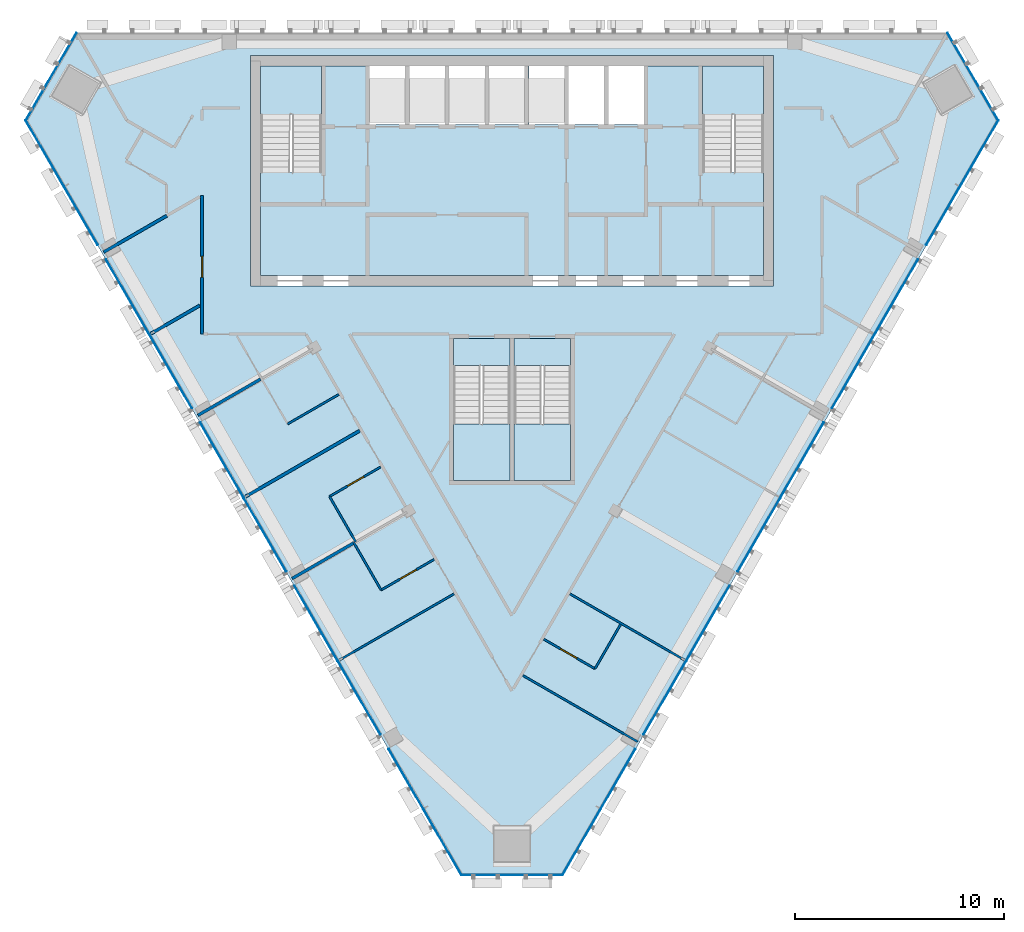
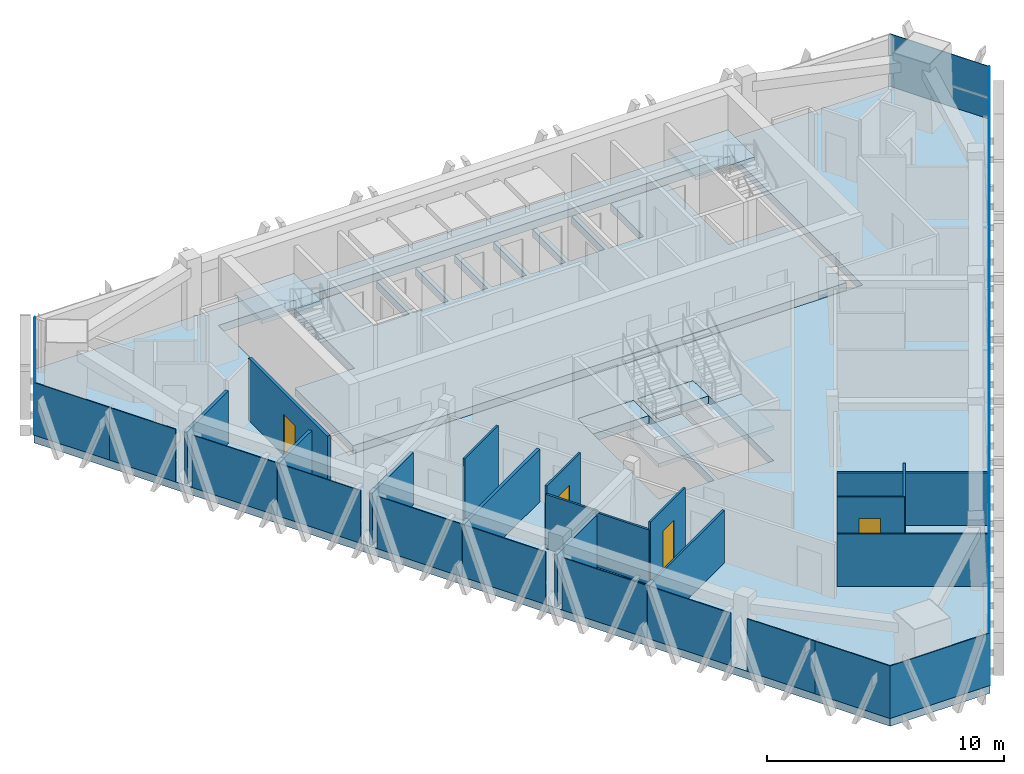
# One storey, part 7 of 14: 23 plates, 16 walls, 8 slabs, 4 doors, 4 openings, 9 elements without a shape of their own.
"""IFC4 building model written with IfcOpenShell, lengths in metres."""

from ifc_helpers import new_model, si_unit, direction, frame, frame_2d, origin, origin_2d, place, context, subcontext, project, spatial, polyline, rectangle, outline, extrude, material, layer, layer_set, type_object, element, fill, aggregate, save


model = new_model("IFC4")

# Units and contexts
model_context = context("Model", 3, precision=1e-05, world=origin(), true_north=direction((0.0, 1.0)))
body_context = subcontext(model_context, "Body", "Model", "MODEL_VIEW")
ifc_project = project(units=[si_unit("LENGTHUNIT", "METRE"), si_unit("AREAUNIT", "SQUARE_METRE"), si_unit("VOLUMEUNIT", "CUBIC_METRE"), si_unit("PLANEANGLEUNIT", "RADIAN"), si_unit("MASSUNIT", "GRAM", prefix="KILO")], contexts=[model_context])

# Site, building, storey
site_placement = place(None, origin())
site = spatial("IfcSite", under=ifc_project, at=site_placement, CompositionType="ELEMENT")
building_placement = place(site_placement, origin())
building = spatial("IfcBuilding", under=site, at=building_placement, Name="Altiplano Prism Tower", CompositionType="ELEMENT")
storey_placement = place(building_placement, frame((0.0, 0.0, 268.0)))
storey = spatial("IfcBuildingStorey", under=building, at=storey_placement, Name="L69", CompositionType="ELEMENT", Elevation=268.0)

# Curtain wall, plate
ifc_material_1 = material(Name="Aluminium and glass", Category="aluminium")
ifc_layer_1 = layer(ifc_material_1, 0.280029296875)
ifc_layer_set_1 = layer_set([ifc_layer_1], Name="Aluminium and glass")
curtain_wall_type = type_object("IfcCurtainWallType", Name="CW1 typical co-living unitised curtain wall", PredefinedType="NOTDEFINED", material=ifc_layer_set_1)
curtain_wall_1_placement = place(storey_placement, origin())
curtain_wall_1 = element("IfcCurtainWall", 1, at=curtain_wall_1_placement, inside=storey, type_object=curtain_wall_type, Name="CW1 curtain wall north-west chamfer L69", PredefinedType="NOTDEFINED")
ifc_material_2 = material(Name="Clear glass", Category="glass")
ifc_layer_2 = layer(ifc_material_2, 0.0400390625)
ifc_layer_set_2 = layer_set([ifc_layer_2], Name="Clear glass")
plate_type = type_object("IfcPlateType", Name="CW1 insulated glass unit 40", PredefinedType="CURTAIN_PANEL", material=ifc_layer_set_2)
plate_1_placement = place(storey_placement, frame((62.989501953125, 102.89111328125, 0.0), z_axis=(0.0, 0.0, 1.0), x_axis=(-0.500000031379, -0.866025385668, 0.0)))
plate_1 = element("IfcPlate", 2, at=plate_1_placement, type_object=plate_type, Name="CW1 panel", PredefinedType="CURTAIN_PANEL", context=body_context, shape_type="SweptSolid", body=[
    extrude(rectangle(XDim=4.83740234375, YDim=0.0400390625, at=origin_2d()), origin(), (0.0, 0.0, 1.0), 2.699951171875),
])
aggregate(curtain_wall_1, [plate_1])

# Curtain wall, plates
curtain_wall_2_placement = place(storey_placement, origin())
curtain_wall_2 = element("IfcCurtainWall", 3, at=curtain_wall_2_placement, inside=storey, type_object=curtain_wall_type, Name="CW1 curtain wall south-west face L69", PredefinedType="NOTDEFINED")
plate_2_placement = place(storey_placement, frame((62.692138671875, 99.228271484375, 0.0), z_axis=(0.0, 0.0, 1.0), x_axis=(0.499999992367, -0.866025408191, 0.0)))
plate_2 = element("IfcPlate", 4, at=plate_2_placement, type_object=plate_type, Name="CW1 panel", PredefinedType="CURTAIN_PANEL", context=body_context, shape_type="SweptSolid", body=[
    extrude(rectangle(XDim=3.64794921875, YDim=0.0400390625, at=origin_2d()), origin(), (0.0, 0.0, 1.0), 2.699951171875),
])
plate_3_placement = place(storey_placement, frame((64.413818359375, 96.246337890625, 0.0), z_axis=(0.0, 0.0, 1.0), x_axis=(0.499999992367, -0.866025408191, 0.0)))
plate_3 = element("IfcPlate", 5, at=plate_3_placement, type_object=plate_type, Name="CW1 panel", PredefinedType="CURTAIN_PANEL", context=body_context, shape_type="SweptSolid", body=[
    extrude(rectangle(XDim=3.218505859375, YDim=0.0400390625, at=origin_2d()), origin(), (0.0, 0.0, 1.0), 2.699951171875),
])
plate_4_placement = place(storey_placement, frame((66.648193359375, 92.3759765625, 0.0), z_axis=(0.0, 0.0, 1.0), x_axis=(0.499999992367, -0.866025408191, 0.0)))
plate_4 = element("IfcPlate", 6, at=plate_4_placement, type_object=plate_type, Name="CW1 panel", PredefinedType="CURTAIN_PANEL", context=body_context, shape_type="SweptSolid", body=[
    extrude(rectangle(XDim=4.139404296875, YDim=0.0400390625, at=origin_2d()), origin(), (0.0, 0.0, 1.0), 2.699951171875),
])
plate_5_placement = place(storey_placement, frame((68.703369140625, 88.816650390625, 0.0), z_axis=(0.0, 0.0, 1.0), x_axis=(0.499999992367, -0.866025408191, 0.0)))
plate_5 = element("IfcPlate", 7, at=plate_5_placement, type_object=plate_type, Name="CW1 panel", PredefinedType="CURTAIN_PANEL", context=body_context, shape_type="SweptSolid", body=[
    extrude(rectangle(XDim=4.060302734375, YDim=0.0400390625, at=origin_2d()), origin(), (0.0, 0.0, 1.0), 2.699951171875),
])
plate_6_placement = place(storey_placement, frame((71.148193359375, 84.58154296875, 0.0), z_axis=(0.0, 0.0, 1.0), x_axis=(0.499999992367, -0.866025408191, 0.0)))
plate_6 = element("IfcPlate", 8, at=plate_6_placement, type_object=plate_type, Name="CW1 panel", PredefinedType="CURTAIN_PANEL", context=body_context, shape_type="SweptSolid", body=[
    extrude(rectangle(XDim=4.139404296875, YDim=0.0400390625, at=origin_2d()), origin(), (0.0, 0.0, 1.0), 2.699951171875),
])
plate_7_placement = place(storey_placement, frame((73.203369140625, 81.0224609375, 0.0), z_axis=(0.0, 0.0, 1.0), x_axis=(0.499999992367, -0.866025408191, 0.0)))
plate_7 = element("IfcPlate", 9, at=plate_7_placement, type_object=plate_type, Name="CW1 panel", PredefinedType="CURTAIN_PANEL", context=body_context, shape_type="SweptSolid", body=[
    extrude(rectangle(XDim=4.060302734375, YDim=0.0400390625, at=origin_2d()), origin(), (0.0, 0.0, 1.0), 2.699951171875),
])
plate_8_placement = place(storey_placement, frame((75.648193359375, 76.787353515625, 0.0), z_axis=(0.0, 0.0, 1.0), x_axis=(0.499999992367, -0.866025408191, 0.0)))
plate_8 = element("IfcPlate", 10, at=plate_8_placement, type_object=plate_type, Name="CW1 panel", PredefinedType="CURTAIN_PANEL", context=body_context, shape_type="SweptSolid", body=[
    extrude(rectangle(XDim=4.139404296875, YDim=0.0400390625, at=origin_2d()), origin(), (0.0, 0.0, 1.0), 2.699951171875),
])
plate_9_placement = place(storey_placement, frame((77.703369140625, 73.22802734375, 0.0), z_axis=(0.0, 0.0, 1.0), x_axis=(0.499999992367, -0.866025408191, 0.0)))
plate_9 = element("IfcPlate", 11, at=plate_9_placement, type_object=plate_type, Name="CW1 panel", PredefinedType="CURTAIN_PANEL", context=body_context, shape_type="SweptSolid", body=[
    extrude(rectangle(XDim=4.060302734375, YDim=0.0400390625, at=origin_2d()), origin(), (0.0, 0.0, 1.0), 2.699951171875),
])
plate_10_placement = place(storey_placement, frame((79.937744140625, 69.35791015625, 0.0), z_axis=(0.0, 0.0, 1.0), x_axis=(0.499999992367, -0.866025408191, 0.0)))
plate_10 = element("IfcPlate", 12, at=plate_10_placement, type_object=plate_type, Name="CW1 panel", PredefinedType="CURTAIN_PANEL", context=body_context, shape_type="SweptSolid", body=[
    extrude(rectangle(XDim=3.297607421875, YDim=0.0400390625, at=origin_2d()), origin(), (0.0, 0.0, 1.0), 2.699951171875),
])
plate_11_placement = place(storey_placement, frame((81.67919921875, 66.341552734375, 0.0), z_axis=(0.0, 0.0, 1.0), x_axis=(0.499999992367, -0.866025408191, 0.0)))
plate_11 = element("IfcPlate", 13, at=plate_11_placement, type_object=plate_type, Name="CW1 panel", PredefinedType="CURTAIN_PANEL", context=body_context, shape_type="SweptSolid", body=[
    extrude(rectangle(XDim=3.64794921875, YDim=0.0400390625, at=origin_2d()), origin(), (0.0, 0.0, 1.0), 2.699951171875),
])
aggregate(curtain_wall_2, [plate_2, plate_3, plate_4, plate_5, plate_6, plate_7, plate_8, plate_9, plate_10, plate_11])

# Curtain wall, plate
curtain_wall_3_placement = place(storey_placement, origin())
curtain_wall_3 = element("IfcCurtainWall", 14, at=curtain_wall_3_placement, inside=storey, type_object=curtain_wall_type, Name="CW1 curtain wall south chamfer L69", PredefinedType="NOTDEFINED")
plate_12_placement = place(storey_placement, frame((85.0, 64.767578125, 0.0), z_axis=(0.0, 0.0, 1.0), x_axis=(1.0, 0.0, 0.0)))
plate_12 = element("IfcPlate", 15, at=plate_12_placement, type_object=plate_type, Name="CW1 panel", PredefinedType="CURTAIN_PANEL", context=body_context, shape_type="SweptSolid", body=[
    extrude(rectangle(XDim=4.83740234375, YDim=0.0400390625, at=origin_2d()), origin(), (0.0, 0.0, 1.0), 2.699951171875),
])
aggregate(curtain_wall_3, [plate_12])

# Curtain wall, plates
curtain_wall_4_placement = place(storey_placement, origin())
curtain_wall_4 = element("IfcCurtainWall", 16, at=curtain_wall_4_placement, inside=storey, type_object=curtain_wall_type, Name="CW1 curtain wall south-east face L69", PredefinedType="NOTDEFINED")
plate_13_placement = place(storey_placement, frame((88.32080078125, 66.341552734375, 0.0), z_axis=(0.0, 0.0, 1.0), x_axis=(0.499999992367, 0.866025408191, 0.0)))
plate_13 = element("IfcPlate", 17, at=plate_13_placement, type_object=plate_type, Name="CW1 panel", PredefinedType="CURTAIN_PANEL", context=body_context, shape_type="SweptSolid", body=[
    extrude(rectangle(XDim=3.64794921875, YDim=0.0400390625, at=origin_2d()), origin(), (0.0, 0.0, 1.0), 2.699951171875),
])
plate_14_placement = place(storey_placement, frame((90.062255859375, 69.35791015625, 0.0), z_axis=(0.0, 0.0, 1.0), x_axis=(0.499999992367, 0.866025408191, 0.0)))
plate_14 = element("IfcPlate", 18, at=plate_14_placement, type_object=plate_type, Name="CW1 panel", PredefinedType="CURTAIN_PANEL", context=body_context, shape_type="SweptSolid", body=[
    extrude(rectangle(XDim=3.297607421875, YDim=0.0400390625, at=origin_2d()), origin(), (0.0, 0.0, 1.0), 2.699951171875),
])
plate_15_placement = place(storey_placement, frame((92.296630859375, 73.22802734375, 0.0), z_axis=(0.0, 0.0, 1.0), x_axis=(0.499999992367, 0.866025408191, 0.0)))
plate_15 = element("IfcPlate", 19, at=plate_15_placement, type_object=plate_type, Name="CW1 panel", PredefinedType="CURTAIN_PANEL", context=body_context, shape_type="SweptSolid", body=[
    extrude(rectangle(XDim=4.060302734375, YDim=0.0400390625, at=origin_2d()), origin(), (0.0, 0.0, 1.0), 2.699951171875),
])
plate_16_placement = place(storey_placement, frame((94.351806640625, 76.787353515625, 0.0), z_axis=(0.0, 0.0, 1.0), x_axis=(0.499999992367, 0.866025408191, 0.0)))
plate_16 = element("IfcPlate", 20, at=plate_16_placement, type_object=plate_type, Name="CW1 panel", PredefinedType="CURTAIN_PANEL", context=body_context, shape_type="SweptSolid", body=[
    extrude(rectangle(XDim=4.139404296875, YDim=0.0400390625, at=origin_2d()), origin(), (0.0, 0.0, 1.0), 2.699951171875),
])
plate_17_placement = place(storey_placement, frame((96.796630859375, 81.0224609375, 0.0), z_axis=(0.0, 0.0, 1.0), x_axis=(0.499999992367, 0.866025408191, 0.0)))
plate_17 = element("IfcPlate", 21, at=plate_17_placement, type_object=plate_type, Name="CW1 panel", PredefinedType="CURTAIN_PANEL", context=body_context, shape_type="SweptSolid", body=[
    extrude(rectangle(XDim=4.060302734375, YDim=0.0400390625, at=origin_2d()), origin(), (0.0, 0.0, 1.0), 2.699951171875),
])
plate_18_placement = place(storey_placement, frame((98.851806640625, 84.58154296875, 0.0), z_axis=(0.0, 0.0, 1.0), x_axis=(0.499999992367, 0.866025408191, 0.0)))
plate_18 = element("IfcPlate", 22, at=plate_18_placement, type_object=plate_type, Name="CW1 panel", PredefinedType="CURTAIN_PANEL", context=body_context, shape_type="SweptSolid", body=[
    extrude(rectangle(XDim=4.139404296875, YDim=0.0400390625, at=origin_2d()), origin(), (0.0, 0.0, 1.0), 2.699951171875),
])
plate_19_placement = place(storey_placement, frame((101.296630859375, 88.816650390625, 0.0), z_axis=(0.0, 0.0, 1.0), x_axis=(0.499999992367, 0.866025408191, 0.0)))
plate_19 = element("IfcPlate", 23, at=plate_19_placement, type_object=plate_type, Name="CW1 panel", PredefinedType="CURTAIN_PANEL", context=body_context, shape_type="SweptSolid", body=[
    extrude(rectangle(XDim=4.060302734375, YDim=0.0400390625, at=origin_2d()), origin(), (0.0, 0.0, 1.0), 2.699951171875),
])
plate_20_placement = place(storey_placement, frame((103.351806640625, 92.3759765625, 0.0), z_axis=(0.0, 0.0, 1.0), x_axis=(0.499999992367, 0.866025408191, 0.0)))
plate_20 = element("IfcPlate", 24, at=plate_20_placement, type_object=plate_type, Name="CW1 panel", PredefinedType="CURTAIN_PANEL", context=body_context, shape_type="SweptSolid", body=[
    extrude(rectangle(XDim=4.139404296875, YDim=0.0400390625, at=origin_2d()), origin(), (0.0, 0.0, 1.0), 2.699951171875),
])
plate_21_placement = place(storey_placement, frame((105.586181640625, 96.246337890625, 0.0), z_axis=(0.0, 0.0, 1.0), x_axis=(0.499999992367, 0.866025408191, 0.0)))
plate_21 = element("IfcPlate", 25, at=plate_21_placement, type_object=plate_type, Name="CW1 panel", PredefinedType="CURTAIN_PANEL", context=body_context, shape_type="SweptSolid", body=[
    extrude(rectangle(XDim=3.218505859375, YDim=0.0400390625, at=origin_2d()), origin(), (0.0, 0.0, 1.0), 2.699951171875),
])
plate_22_placement = place(storey_placement, frame((107.307861328125, 99.228271484375, 0.0), z_axis=(0.0, 0.0, 1.0), x_axis=(0.499999992367, 0.866025408191, 0.0)))
plate_22 = element("IfcPlate", 26, at=plate_22_placement, type_object=plate_type, Name="CW1 panel", PredefinedType="CURTAIN_PANEL", context=body_context, shape_type="SweptSolid", body=[
    extrude(rectangle(XDim=3.64794921875, YDim=0.0400390625, at=origin_2d()), origin(), (0.0, 0.0, 1.0), 2.699951171875),
])
aggregate(curtain_wall_4, [plate_13, plate_14, plate_15, plate_16, plate_17, plate_18, plate_19, plate_20, plate_21, plate_22])

# Curtain wall, plate
curtain_wall_5_placement = place(storey_placement, origin())
curtain_wall_5 = element("IfcCurtainWall", 27, at=curtain_wall_5_placement, inside=storey, type_object=curtain_wall_type, Name="CW1 curtain wall north-east chamfer L69", PredefinedType="NOTDEFINED")
plate_23_placement = place(storey_placement, frame((107.010498046875, 102.89111328125, 0.0), z_axis=(0.0, 0.0, 1.0), x_axis=(-0.500000031379, 0.866025385668, 0.0)))
plate_23 = element("IfcPlate", 28, at=plate_23_placement, type_object=plate_type, Name="CW1 panel", PredefinedType="CURTAIN_PANEL", context=body_context, shape_type="SweptSolid", body=[
    extrude(rectangle(XDim=4.83740234375, YDim=0.0400390625, at=origin_2d()), origin(), (0.0, 0.0, 1.0), 2.699951171875),
])
aggregate(curtain_wall_5, [plate_23])

# Slabs
ifc_material_3 = material(Name="Concrete C40/50", Category="concrete")
ifc_layer_3 = layer(ifc_material_3, 0.39990234375)
ifc_layer_set_3 = layer_set([ifc_layer_3], Name="Concrete C40/50")
slab_type_1 = type_object("IfcSlabType", Name="Core floor slab 400", PredefinedType="FLOOR", material=ifc_layer_set_3)
slab_1_placement = place(storey_placement, frame((0.0, 0.0, -0.39990234375)))
element("IfcSlab", 29, at=slab_1_placement, inside=storey, type_object=slab_type_1, Name="Core floor slab L69", PredefinedType="FLOOR", context=body_context, shape_type="SweptSolid", body=[
    extrude(outline(polyline([(97.0, 98.31005859375), (94.10009765625, 98.31005859375), (94.10009765625, 103.39990234375), (91.300048828125, 103.39990234375), (91.300048828125, 100.60009765625), (89.60009765625, 100.60009765625), (89.60009765625, 103.39990234375), (89.39990234375, 103.39990234375), (89.39990234375, 100.60009765625), (87.699951171875, 100.60009765625), (87.699951171875, 103.39990234375), (87.5, 103.39990234375), (87.5, 100.60009765625), (85.800048828125, 100.60009765625), (85.800048828125, 103.39990234375), (85.60009765625, 103.39990234375), (85.60009765625, 100.60009765625), (83.89990234375, 100.60009765625), (83.89990234375, 103.39990234375), (83.699951171875, 103.39990234375), (83.699951171875, 100.60009765625), (82.0, 100.60009765625), (82.0, 103.39990234375), (81.800048828125, 103.39990234375), (81.800048828125, 100.60009765625), (80.10009765625, 100.60009765625), (80.10009765625, 103.39990234375), (79.89990234375, 103.39990234375), (79.89990234375, 100.60009765625), (78.199951171875, 100.60009765625), (78.199951171875, 103.39990234375), (75.89990234375, 103.39990234375), (75.89990234375, 98.31005859375), (73.0, 98.31005859375), (73.0, 93.39990234375), (97.0, 93.39990234375), (97.0, 98.31005859375)])), origin(), (0.0, 0.0, 1.0), 0.39990234375),
])
slab_2_placement = place(storey_placement, frame((0.0, 0.0, -0.39990234375)))
element("IfcSlab", 30, at=slab_2_placement, inside=storey, type_object=slab_type_1, Name="Stair 3A landing slab L69", PredefinedType="FLOOR", context=body_context, shape_type="SweptSolid", body=[
    extrude(outline(polyline([(82.199951171875, 89.096923828125), (84.89990234375, 89.096923828125), (84.89990234375, 90.39990234375), (82.199951171875, 90.39990234375), (82.199951171875, 89.096923828125)])), origin(), (0.0, 0.0, 1.0), 0.39990234375),
])
slab_3_placement = place(storey_placement, frame((0.0, 0.0, -0.39990234375)))
element("IfcSlab", 31, at=slab_3_placement, inside=storey, type_object=slab_type_1, Name="Stair 3B landing slab L69", PredefinedType="FLOOR", context=body_context, shape_type="SweptSolid", body=[
    extrude(outline(polyline([(85.10009765625, 89.096923828125), (87.800048828125, 89.096923828125), (87.800048828125, 90.39990234375), (85.10009765625, 90.39990234375), (85.10009765625, 89.096923828125)])), origin(), (0.0, 0.0, 1.0), 0.39990234375),
])
ifc_layer_4 = layer(ifc_material_3, 0.39990234375)
ifc_layer_set_4 = layer_set([ifc_layer_4], Name="Concrete C40/50")
slab_type_2 = type_object("IfcSlabType", Name="Post-tensioned flat slab 400", PredefinedType="FLOOR", material=ifc_layer_set_4)
slab_4_placement = place(storey_placement, frame((0.0, 0.0, -0.39990234375)))
element("IfcSlab", 32, at=slab_4_placement, inside=storey, type_object=slab_type_2, Name="Floor slab L69", PredefinedType="FLOOR", context=body_context, shape_type="SweptSolid", body=[
    extrude(outline(polyline([(82.576416015625, 64.74755859375), (61.76025390625, 100.80224609375), (64.183837890625, 105.0), (105.816162109375, 105.0), (108.23974609375, 100.80224609375), (87.423583984375, 64.74755859375), (82.576416015625, 64.74755859375)]), holes=[polyline([(72.5, 103.89990234375), (72.5, 92.89990234375), (97.5, 92.89990234375), (97.5, 103.89990234375), (72.5, 103.89990234375)]), polyline([(84.89990234375, 90.39990234375), (82.199951171875, 90.39990234375), (82.199951171875, 83.60009765625), (84.89990234375, 83.60009765625), (84.89990234375, 90.39990234375)]), polyline([(87.800048828125, 83.60009765625), (87.800048828125, 90.39990234375), (85.10009765625, 90.39990234375), (85.10009765625, 83.60009765625), (87.800048828125, 83.60009765625)])]), origin(), (0.0, 0.0, 1.0), 0.39990234375),
])

# Stair, slab
stair_type_1 = type_object("IfcStairType", Name="Exit stair 1400", PredefinedType="HALF_TURN_STAIR", material=ifc_material_3)
stair_1_placement = place(storey_placement, origin())
stair_1 = element("IfcStair", 33, at=stair_1_placement, inside=storey, type_object=stair_type_1, Name="L69 Exit Stair 1", PredefinedType="HALF_TURN_STAIR")
ifc_layer_5 = layer(ifc_material_3, 0.199951171875)
ifc_layer_set_5 = layer_set([ifc_layer_5], Name="Concrete C40/50")
slab_type_3 = type_object("IfcSlabType", Name="Stair landing 200", PredefinedType="LANDING", material=ifc_layer_set_5)
slab_5_placement = place(storey_placement, frame((0.0, 0.0, 1.60009765625)))
slab_5 = element("IfcSlab", 34, at=slab_5_placement, type_object=slab_type_3, Name="ST1 landing 1", PredefinedType="LANDING", context=body_context, shape_type="SweptSolid", body=[
    extrude(outline(polyline([(75.89990234375, 101.096923828125), (75.89990234375, 103.39990234375), (73.0, 103.39990234375), (73.0, 101.096923828125), (75.89990234375, 101.096923828125)])), origin(), (0.0, 0.0, 1.0), 0.199951171875),
])
aggregate(stair_1, [slab_5])

stair_2_placement = place(storey_placement, origin())
stair_2 = element("IfcStair", 35, at=stair_2_placement, inside=storey, type_object=stair_type_1, Name="L69 Exit Stair 2", PredefinedType="HALF_TURN_STAIR")
slab_6_placement = place(storey_placement, frame((0.0, 0.0, 1.60009765625)))
slab_6 = element("IfcSlab", 36, at=slab_6_placement, type_object=slab_type_3, Name="ST2 landing 1", PredefinedType="LANDING", context=body_context, shape_type="SweptSolid", body=[
    extrude(outline(polyline([(97.0, 101.096923828125), (97.0, 103.39990234375), (94.10009765625, 103.39990234375), (94.10009765625, 101.096923828125), (97.0, 101.096923828125)])), origin(), (0.0, 0.0, 1.0), 0.199951171875),
])
aggregate(stair_2, [slab_6])

stair_type_2 = type_object("IfcStairType", Name="Exit stair 1300", PredefinedType="HALF_TURN_STAIR", material=ifc_material_3)
stair_3_placement = place(storey_placement, origin())
stair_3 = element("IfcStair", 37, at=stair_3_placement, inside=storey, type_object=stair_type_2, Name="L69 Exit Stair 3A", PredefinedType="HALF_TURN_STAIR")
slab_7_placement = place(storey_placement, frame((0.0, 0.0, 1.60009765625)))
slab_7 = element("IfcSlab", 38, at=slab_7_placement, type_object=slab_type_3, Name="ST3A landing 1", PredefinedType="LANDING", context=body_context, shape_type="SweptSolid", body=[
    extrude(outline(polyline([(82.199951171875, 86.302978515625), (82.199951171875, 83.60009765625), (84.89990234375, 83.60009765625), (84.89990234375, 86.302978515625), (82.199951171875, 86.302978515625)])), origin(), (0.0, 0.0, 1.0), 0.199951171875),
])
aggregate(stair_3, [slab_7])

stair_4_placement = place(storey_placement, origin())
stair_4 = element("IfcStair", 39, at=stair_4_placement, inside=storey, type_object=stair_type_2, Name="L69 Exit Stair 3B", PredefinedType="HALF_TURN_STAIR")
slab_8_placement = place(storey_placement, frame((0.0, 0.0, 1.60009765625)))
slab_8 = element("IfcSlab", 40, at=slab_8_placement, type_object=slab_type_3, Name="ST3B landing 1", PredefinedType="LANDING", context=body_context, shape_type="SweptSolid", body=[
    extrude(outline(polyline([(85.10009765625, 86.302978515625), (85.10009765625, 83.60009765625), (87.800048828125, 83.60009765625), (87.800048828125, 86.302978515625), (85.10009765625, 86.302978515625)])), origin(), (0.0, 0.0, 1.0), 0.199951171875),
])
aggregate(stair_4, [slab_8])

# Walls
ifc_material_4 = material(Name="Plasterboard on steel stud", Category="steel")
ifc_layer_6 = layer(ifc_material_4, 0.10009765625)
ifc_layer_set_6 = layer_set([ifc_layer_6], Name="Plasterboard on steel stud")
wall_type_1 = type_object("IfcWallType", Name="Partition 100 unit", PredefinedType="PARTITIONING", material=ifc_layer_set_6)
wall_1_placement = place(storey_placement, frame((76.732421875, 87.719482421875, 0.0), z_axis=(0.0, 0.0, 1.0), x_axis=(-0.865989837833, -0.500061596976, 0.0)))
element("IfcWall", 41, at=wall_1_placement, inside=storey, type_object=wall_type_1, Name="Partition P02 L69 035", PredefinedType="PARTITIONING", context=body_context, shape_type="SweptSolid", body=[
    extrude(rectangle(XDim=2.824951171875, YDim=0.10009765625, at=frame_2d((1.41259765625, 0.0))), origin(), (0.0, 0.0, 1.0), 3.199951171875),
])
wall_2_placement = place(storey_placement, frame((77.5361328125, 80.677734375, 0.0), z_axis=(0.0, 0.0, 1.0), x_axis=(-0.500004234368, 0.866022959057, 0.0)))
element("IfcWall", 42, at=wall_2_placement, inside=storey, type_object=wall_type_1, Name="Partition P02 L69 038", PredefinedType="PARTITIONING", context=body_context, shape_type="SweptSolid", body=[
    extrude(rectangle(XDim=2.5, YDim=0.10009765625, at=frame_2d((1.25, 0.0))), origin(), (0.0, 0.0, 1.0), 2.800048828125),
])

# Wall, opening, door
wall_3_placement = place(storey_placement, frame((76.2861328125, 82.8427734375, 0.0), z_axis=(0.0, 0.0, 1.0), x_axis=(0.865989837833, 0.500061596976, 0.0)))
wall_3 = element("IfcWall", 43, at=wall_3_placement, inside=storey, type_object=wall_type_1, Name="Partition P02 L69 039", PredefinedType="PARTITIONING", context=body_context, shape_type="SweptSolid", body=[
    extrude(rectangle(XDim=2.824951171875, YDim=0.10009765625, at=frame_2d((1.41259765625, 0.0))), origin(), (0.0, 0.0, 1.0), 3.199951171875),
])
opening_1_placement = place(wall_3_placement, frame((1.0, 0.0, 0.0)))
opening_1 = element("IfcOpeningElement", 44, at=opening_1_placement, cuts=wall_3, Name="Opening D2189", PredefinedType="OPENING", context=body_context, shape_type="SweptSolid", body=[
    extrude(rectangle(XDim=0.89990234375, YDim=2.10009765625, at=frame_2d((0.449951171875, 1.050048828125))), frame((0.0, 0.060546875, 0.0), z_axis=(0.0, -1.0, 0.0), x_axis=(1.0, 0.0, 0.0)), (0.0, 0.0, 1.0), 0.12109375),
])
ifc_material_5 = material(Name="Timber", Category="wood")
door_type_1 = type_object("IfcDoorType", Name="Ensuite door 900 x 2100", OperationType="NOTDEFINED", PredefinedType="NOTDEFINED", material=ifc_material_5)
door_1_placement = place(opening_1_placement, origin())
door_1 = element("IfcDoor", 45, at=door_1_placement, inside=storey, type_object=door_type_1, Name="Door D2189", OperationType="SINGLE_SWING_RIGHT", OverallHeight=2.10009765625, OverallWidth=0.89990234375, PredefinedType="NOTDEFINED", context=body_context, shape_type="SweptSolid", body=[
    extrude(rectangle(XDim=0.89990234375, YDim=2.10009765625, at=frame_2d((0.449951171875, 1.050048828125))), frame((0.0, 0.02490234375, 0.0), z_axis=(0.0, -1.0, 0.0), x_axis=(1.0, 0.0, 0.0)), (0.0, 0.0, 1.0), 0.050048828125),
])
fill(opening_1, door_1)

wall_4_placement = place(storey_placement, frame((81.282470703125, 79.838623046875, 0.0), z_axis=(0.0, 0.0, 1.0), x_axis=(-0.866025730634, -0.499999433879, 0.0)))
wall_4 = element("IfcWall", 46, at=wall_4_placement, inside=storey, type_object=wall_type_1, Name="Partition P02 L69 042", PredefinedType="PARTITIONING", context=body_context, shape_type="SweptSolid", body=[
    extrude(rectangle(XDim=2.9248046875, YDim=0.10009765625, at=frame_2d((1.46240234375, 0.0))), origin(), (0.0, 0.0, 1.0), 3.199951171875),
])
opening_2_placement = place(wall_4_placement, frame((0.97509765625, 0.0, 0.0)))
opening_2 = element("IfcOpeningElement", 47, at=opening_2_placement, cuts=wall_4, Name="Opening D2191", PredefinedType="OPENING", context=body_context, shape_type="SweptSolid", body=[
    extrude(rectangle(XDim=0.89990234375, YDim=2.10009765625, at=frame_2d((0.449951171875, 1.050048828125))), frame((0.0, 0.060546875, 0.0), z_axis=(0.0, -1.0, 0.0), x_axis=(1.0, 0.0, 0.0)), (0.0, 0.0, 1.0), 0.12109375),
])
door_2_placement = place(opening_2_placement, origin())
door_2 = element("IfcDoor", 48, at=door_2_placement, inside=storey, type_object=door_type_1, Name="Door D2191", OperationType="SINGLE_SWING_RIGHT", OverallHeight=2.10009765625, OverallWidth=0.89990234375, PredefinedType="NOTDEFINED", context=body_context, shape_type="SweptSolid", body=[
    extrude(rectangle(XDim=0.89990234375, YDim=2.10009765625, at=frame_2d((0.449951171875, 1.050048828125))), frame((0.0, 0.02490234375, 0.0), z_axis=(0.0, -1.0, 0.0), x_axis=(1.0, 0.0, 0.0)), (0.0, 0.0, 1.0), 0.050048828125),
])
fill(opening_2, door_2)

# Walls
wall_5_placement = place(storey_placement, frame((78.74951171875, 78.376220703125, 0.0), z_axis=(0.0, 0.0, 1.0), x_axis=(-0.500047596559, 0.865997922154, 0.0)))
element("IfcWall", 49, at=wall_5_placement, inside=storey, type_object=wall_type_1, Name="Partition P02 L69 043", PredefinedType="PARTITIONING", context=body_context, shape_type="SweptSolid", body=[
    extrude(rectangle(XDim=2.599853515625, YDim=0.10009765625, at=frame_2d((1.2998046875, 0.0))), origin(), (0.0, 0.0, 1.0), 2.800048828125),
])
wall_6_placement = place(storey_placement, frame((90.18896484375, 76.7373046875, 0.0), z_axis=(0.0, 0.0, 1.0), x_axis=(-0.500018594424, -0.866014668023, 0.0)))
element("IfcWall", 50, at=wall_6_placement, inside=storey, type_object=wall_type_1, Name="Partition P02 L69 046", PredefinedType="PARTITIONING", context=body_context, shape_type="SweptSolid", body=[
    extrude(rectangle(XDim=2.4501953125, YDim=0.10009765625, at=frame_2d((1.22509765625, 0.0))), origin(), (0.0, 0.0, 1.0), 3.199951171875),
])

# Wall, opening, door
wall_7_placement = place(storey_placement, frame((88.9638671875, 74.615478515625, 0.0), z_axis=(0.0, 0.0, 1.0), x_axis=(-0.865989837833, 0.500061596976, 0.0)))
wall_7 = element("IfcWall", 51, at=wall_7_placement, inside=storey, type_object=wall_type_1, Name="Partition P02 L69 047", PredefinedType="PARTITIONING", context=body_context, shape_type="SweptSolid", body=[
    extrude(rectangle(XDim=2.824951171875, YDim=0.10009765625, at=frame_2d((1.41259765625, 0.0))), origin(), (0.0, 0.0, 1.0), 3.199951171875),
])
opening_3_placement = place(wall_7_placement, frame((1.0, 0.0, 0.0)))
opening_3 = element("IfcOpeningElement", 52, at=opening_3_placement, cuts=wall_7, Name="Opening D2194", PredefinedType="OPENING", context=body_context, shape_type="SweptSolid", body=[
    extrude(rectangle(XDim=0.89990234375, YDim=2.10009765625, at=frame_2d((0.449951171875, 1.050048828125))), frame((0.0, 0.060546875, 0.0), z_axis=(0.0, -1.0, 0.0), x_axis=(1.0, 0.0, 0.0)), (0.0, 0.0, 1.0), 0.12109375),
])
door_3_placement = place(opening_3_placement, origin())
door_3 = element("IfcDoor", 53, at=door_3_placement, inside=storey, type_object=door_type_1, Name="Door D2194", OperationType="SINGLE_SWING_RIGHT", OverallHeight=2.10009765625, OverallWidth=0.89990234375, PredefinedType="NOTDEFINED", context=body_context, shape_type="SweptSolid", body=[
    extrude(rectangle(XDim=0.89990234375, YDim=2.10009765625, at=frame_2d((0.449951171875, 1.050048828125))), frame((0.0, 0.02490234375, 0.0), z_axis=(0.0, -1.0, 0.0), x_axis=(1.0, 0.0, 0.0)), (0.0, 0.0, 1.0), 0.050048828125),
])
fill(opening_3, door_3)

# Walls
ifc_layer_7 = layer(ifc_material_4, 0.10009765625)
ifc_layer_set_7 = layer_set([ifc_layer_7], Name="Plasterboard on steel stud")
wall_type_2 = type_object("IfcWallType", Name="Partition 100 wet", PredefinedType="PARTITIONING", material=ifc_layer_set_7)
wall_8_placement = place(storey_placement, frame((76.737548828125, 75.0205078125, 0.0), z_axis=(0.0, 0.0, 1.0), x_axis=(0.866025401434, 0.500000004071, 0.0)))
element("IfcWall", 54, at=wall_8_placement, inside=storey, type_object=wall_type_2, Name="Partition P03 L69 044", PredefinedType="PARTITIONING", context=body_context, shape_type="SweptSolid", body=[
    extrude(rectangle(XDim=6.34521484375, YDim=0.10009765625, at=frame_2d((3.172607421875, 0.0))), origin(), (0.0, 0.0, 1.0), 2.699951171875),
])
wall_9_placement = place(storey_placement, frame((90.9951171875, 71.133544921875, 0.0), z_axis=(0.0, 0.0, 1.0), x_axis=(-0.866015887322, 0.500016482634, 0.0)))
element("IfcWall", 55, at=wall_9_placement, inside=storey, type_object=wall_type_2, Name="Partition P03 L69 045", PredefinedType="PARTITIONING", context=body_context, shape_type="SweptSolid", body=[
    extrude(rectangle(XDim=6.324951171875, YDim=0.10009765625, at=frame_2d((3.16259765625, 0.0))), origin(), (0.0, 0.0, 1.0), 2.699951171875),
])
wall_10_placement = place(storey_placement, frame((93.262451171875, 75.0205078125, 0.0), z_axis=(0.0, 0.0, 1.0), x_axis=(-0.866015781869, 0.500016665277, 0.0)))
element("IfcWall", 56, at=wall_10_placement, inside=storey, type_object=wall_type_2, Name="Partition P03 L69 048", PredefinedType="PARTITIONING", context=body_context, shape_type="SweptSolid", body=[
    extrude(rectangle(XDim=6.344970703125, YDim=0.10009765625, at=frame_2d((3.17236328125, 0.0))), origin(), (0.0, 0.0, 1.0), 2.699951171875),
])

# Wall, opening, door
ifc_layer_8 = layer(ifc_material_4, 0.14990234375)
ifc_layer_set_8 = layer_set([ifc_layer_8], Name="Plasterboard on steel stud")
wall_type_3 = type_object("IfcWallType", Name="Partition 150 corridor", PredefinedType="PARTITIONING", material=ifc_layer_set_8)
wall_11_placement = place(storey_placement, frame((70.199951171875, 97.22705078125, 0.0), z_axis=(0.0, 0.0, 1.0), x_axis=(0.0, -1.0, 0.0)))
wall_11 = element("IfcWall", 57, at=wall_11_placement, inside=storey, type_object=wall_type_3, Name="Partition P06 L69 009", PredefinedType="PARTITIONING", context=body_context, shape_type="SweptSolid", body=[
    extrude(rectangle(XDim=6.626953125, YDim=0.14990234375, at=frame_2d((3.3134765625, 0.0))), origin(), (0.0, 0.0, 1.0), 3.199951171875),
])
opening_4_placement = place(wall_11_placement, frame((2.9208984375, 0.0, 0.0)))
opening_4 = element("IfcOpeningElement", 58, at=opening_4_placement, cuts=wall_11, Name="Opening D2183", PredefinedType="OPENING", context=body_context, shape_type="SweptSolid", body=[
    extrude(rectangle(XDim=1.0, YDim=2.10009765625, at=frame_2d((0.5, 1.050048828125))), frame((0.0, 0.08544921875, 0.0), z_axis=(0.0, -1.0, 0.0), x_axis=(1.0, 0.0, 0.0)), (0.0, 0.0, 1.0), 0.1708984375),
])
door_type_2 = type_object("IfcDoorType", Name="Room door 1000 x 2100", OperationType="NOTDEFINED", PredefinedType="NOTDEFINED", material=ifc_material_5)
door_4_placement = place(opening_4_placement, origin())
door_4 = element("IfcDoor", 59, at=door_4_placement, inside=storey, type_object=door_type_2, Name="Door D2183", OperationType="SINGLE_SWING_RIGHT", OverallHeight=2.10009765625, OverallWidth=1.0, PredefinedType="NOTDEFINED", context=body_context, shape_type="SweptSolid", body=[
    extrude(rectangle(XDim=1.0, YDim=2.10009765625, at=frame_2d((0.5, 1.050048828125))), frame((0.0, 0.02490234375, 0.0), z_axis=(0.0, -1.0, 0.0), x_axis=(1.0, 0.0, 0.0)), (0.0, 0.0, 1.0), 0.050048828125),
])
fill(opening_4, door_4)

# Walls
ifc_layer_9 = layer(ifc_material_4, 0.14990234375)
ifc_layer_set_9 = layer_set([ifc_layer_9], Name="Plasterboard on steel stud")
wall_type_4 = type_object("IfcWallType", Name="Partition 150 party", PredefinedType="PARTITIONING", material=ifc_layer_set_9)
wall_12_placement = place(storey_placement, frame((65.5048828125, 94.516357421875, 0.0), z_axis=(0.0, 0.0, 1.0), x_axis=(0.866033778982, 0.499985493453, 0.0)))
element("IfcWall", 60, at=wall_12_placement, inside=storey, type_object=wall_type_4, Name="Partition P01 L69 029", PredefinedType="PARTITIONING", context=body_context, shape_type="SweptSolid", body=[
    extrude(rectangle(XDim=3.4814453125, YDim=0.14990234375, at=frame_2d((1.74072265625, 0.0))), origin(), (0.0, 0.0, 1.0), 2.699951171875),
])
wall_13_placement = place(storey_placement, frame((67.737548828125, 90.609130859375, 0.0), z_axis=(0.0, 0.0, 1.0), x_axis=(0.866025261224, 0.500000246922, 0.0)))
element("IfcWall", 61, at=wall_13_placement, inside=storey, type_object=wall_type_4, Name="Partition P01 L69 032", PredefinedType="PARTITIONING", context=body_context, shape_type="SweptSolid", body=[
    extrude(rectangle(XDim=2.71337890625, YDim=0.14990234375, at=frame_2d((1.356689453125, 0.0))), origin(), (0.0, 0.0, 1.0), 2.699951171875),
])
wall_14_placement = place(storey_placement, frame((70.0048828125, 86.721923828125, 0.0), z_axis=(0.0, 0.0, 1.0), x_axis=(0.866013532718, 0.500020560727, 0.0)))
element("IfcWall", 62, at=wall_14_placement, inside=storey, type_object=wall_type_4, Name="Partition P01 L69 033", PredefinedType="PARTITIONING", context=body_context, shape_type="SweptSolid", body=[
    extrude(rectangle(XDim=3.449951171875, YDim=0.14990234375, at=frame_2d((1.72509765625, 0.0))), origin(), (0.0, 0.0, 1.0), 2.699951171875),
])
wall_15_placement = place(storey_placement, frame((72.237548828125, 82.814697265625, 0.0), z_axis=(0.0, 0.0, 1.0), x_axis=(0.866015781869, 0.500016665277, 0.0)))
element("IfcWall", 63, at=wall_15_placement, inside=storey, type_object=wall_type_4, Name="Partition P01 L69 037", PredefinedType="PARTITIONING", context=body_context, shape_type="SweptSolid", body=[
    extrude(rectangle(XDim=6.344970703125, YDim=0.14990234375, at=frame_2d((3.17236328125, 0.0))), origin(), (0.0, 0.0, 1.0), 2.699951171875),
])
wall_16_placement = place(storey_placement, frame((74.5048828125, 78.927734375, 0.0), z_axis=(0.0, 0.0, 1.0), x_axis=(0.866038511948, 0.499977295307, 0.0)))
element("IfcWall", 64, at=wall_16_placement, inside=storey, type_object=wall_type_4, Name="Partition P01 L69 040", PredefinedType="PARTITIONING", context=body_context, shape_type="SweptSolid", body=[
    extrude(rectangle(XDim=3.400146484375, YDim=0.14990234375, at=frame_2d((1.7001953125, 0.0))), origin(), (0.0, 0.0, 1.0), 2.699951171875),
])

save(model, "model.ifc")
